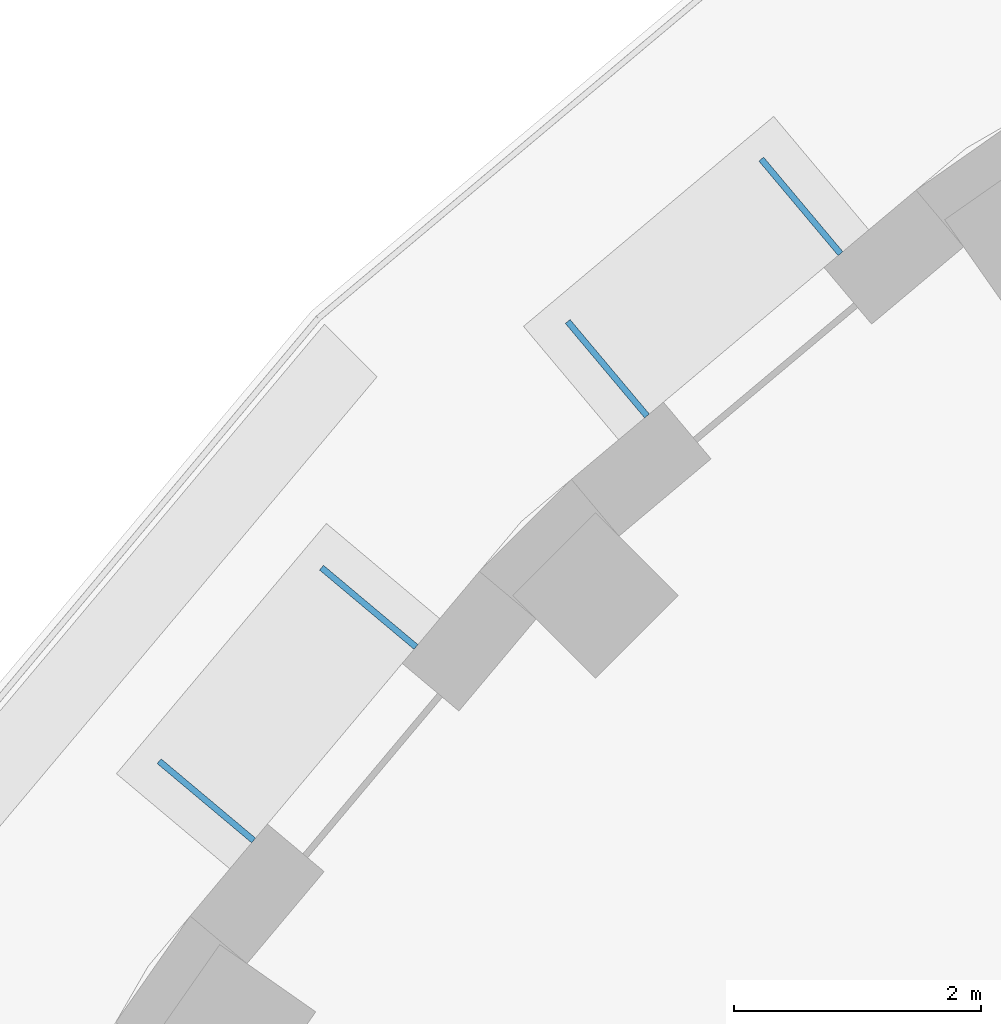
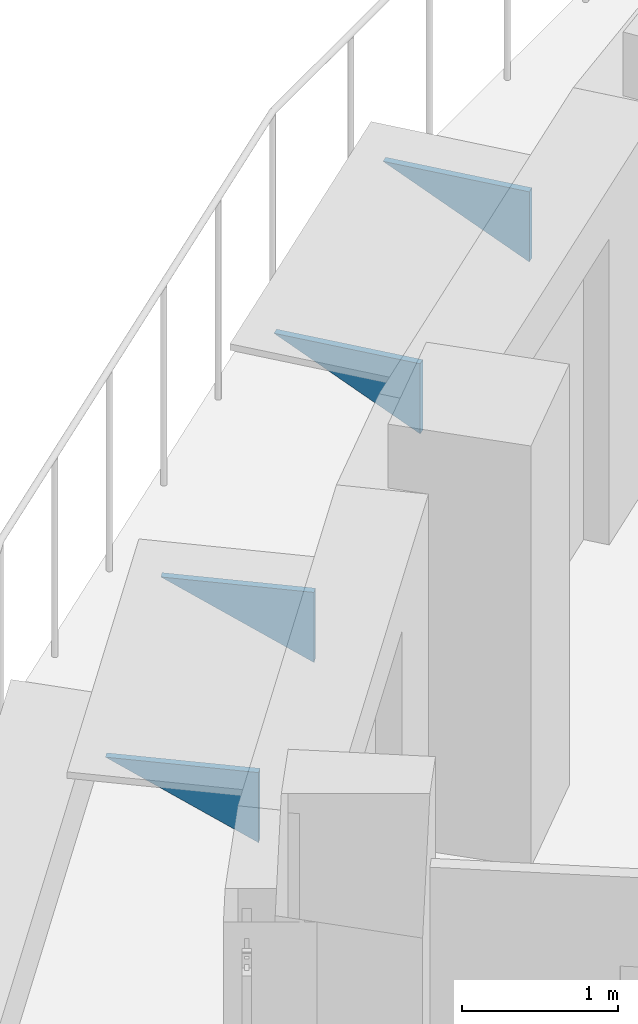
# One storey, part 14 of 15: 4 discrete accessories.
"""IFC4 building model written with IfcOpenShell, lengths in metres."""

from ifc_helpers import new_model, si_unit, direction, frame, origin, place, context, subcontext, project, spatial, polyline, outline, extrude, material, layer, layer_set, type_object, element, save


model = new_model("IFC4")

# Units and contexts
model_context = context("Model", 3, precision=1e-05, world=origin(), true_north=direction((0.0, 1.0)))
body_context = subcontext(model_context, "Body", "Model", "MODEL_VIEW")
ifc_project = project(units=[si_unit("LENGTHUNIT", "METRE"), si_unit("AREAUNIT", "SQUARE_METRE"), si_unit("VOLUMEUNIT", "CUBIC_METRE"), si_unit("PLANEANGLEUNIT", "RADIAN"), si_unit("MASSUNIT", "GRAM", prefix="KILO")], contexts=[model_context])

# Site, building, storey
site_placement = place(None, origin())
site = spatial("IfcSite", under=ifc_project, at=site_placement, CompositionType="ELEMENT")
building_placement = place(site_placement, origin())
building = spatial("IfcBuilding", under=site, at=building_placement, Name="Saqina Gate Tower", CompositionType="ELEMENT")
storey_placement = place(building_placement, frame((0.0, 0.0, 108.39990234375)))
storey = spatial("IfcBuildingStorey", under=building, at=storey_placement, Name="L30", CompositionType="ELEMENT", Elevation=108.39990234375)

# Discrete accessories
ifc_material = material(Name="Galvanised steel", Category="steel")
ifc_layer = layer(ifc_material, 0.050048828125)
ifc_layer_set = layer_set([ifc_layer], Name="BR-AWNING")
discrete_accessory_type = type_object("IfcDiscreteAccessoryType", Name="BR-AWNING", PredefinedType="BRACKET", material=ifc_layer_set)
discrete_accessory_1_placement = place(storey_placement, frame((-16.52392578125, 21.24658203125, 1.97509765625), z_axis=(-0.766055819685, -0.64277405138, 0.0), x_axis=(0.0, 0.0, 1.0)))
element("IfcDiscreteAccessory", 1, at=discrete_accessory_1_placement, inside=storey, type_object=discrete_accessory_type, Name="Awning bracket L30 facet 13", PredefinedType="BRACKET", context=body_context, shape_type="SweptSolid", body=[
    extrude(outline(polyline([(0.0, 0.0), (0.550048828125, 0.0), (0.550048828125, 1.0000750096322273), (0.0, 0.0)])), origin(), (0.0, 0.0, -1.0), 0.050048828125),
])
discrete_accessory_2_placement = place(storey_placement, frame((-18.0927734375, 19.930419921875, 1.97509765625), z_axis=(-0.765954930181, -0.642894271969, 0.0), x_axis=(0.0, 0.0, 1.0)))
element("IfcDiscreteAccessory", 2, at=discrete_accessory_2_placement, inside=storey, type_object=discrete_accessory_type, Name="Awning bracket L30 facet 13", PredefinedType="BRACKET", context=body_context, shape_type="SweptSolid", body=[
    extrude(outline(polyline([(0.0, 0.0), (0.550048828125, 0.0), (0.550048828125, 0.9998879966000863), (0.0, 0.0)])), origin(), (0.0, 0.0, -1.0), 0.050048828125),
])
for number, where, z_axis, x_axis, name in (
    (3, (-19.96240234375, 18.054443359375, 1.97509765625), (-0.64277405138, -0.766055819685, 0.0), (0.0, 0.0, 1.0), "Awning bracket L30 facet 14"),
    (4, (-21.27880859375, 16.485595703125, 1.97509765625), (-0.64277405138, -0.766055819685, 0.0), (0.0, 0.0, 1.0), "Awning bracket L30 facet 14"),
):
    element("IfcDiscreteAccessory", number, at=place(storey_placement, frame(where, z_axis=z_axis, x_axis=x_axis)), inside=storey, type_object=discrete_accessory_type, Name=name, PredefinedType="BRACKET", context=body_context, shape_type="SweptSolid", body=[
        extrude(outline(polyline([(0.0, 0.0), (0.550048828125, 0.0), (0.550048828125, 1.0000750096322273), (0.0, 0.0)])), origin(), (0.0, 0.0, -1.0), 0.050048828125),
    ])

save(model, "model.ifc")
